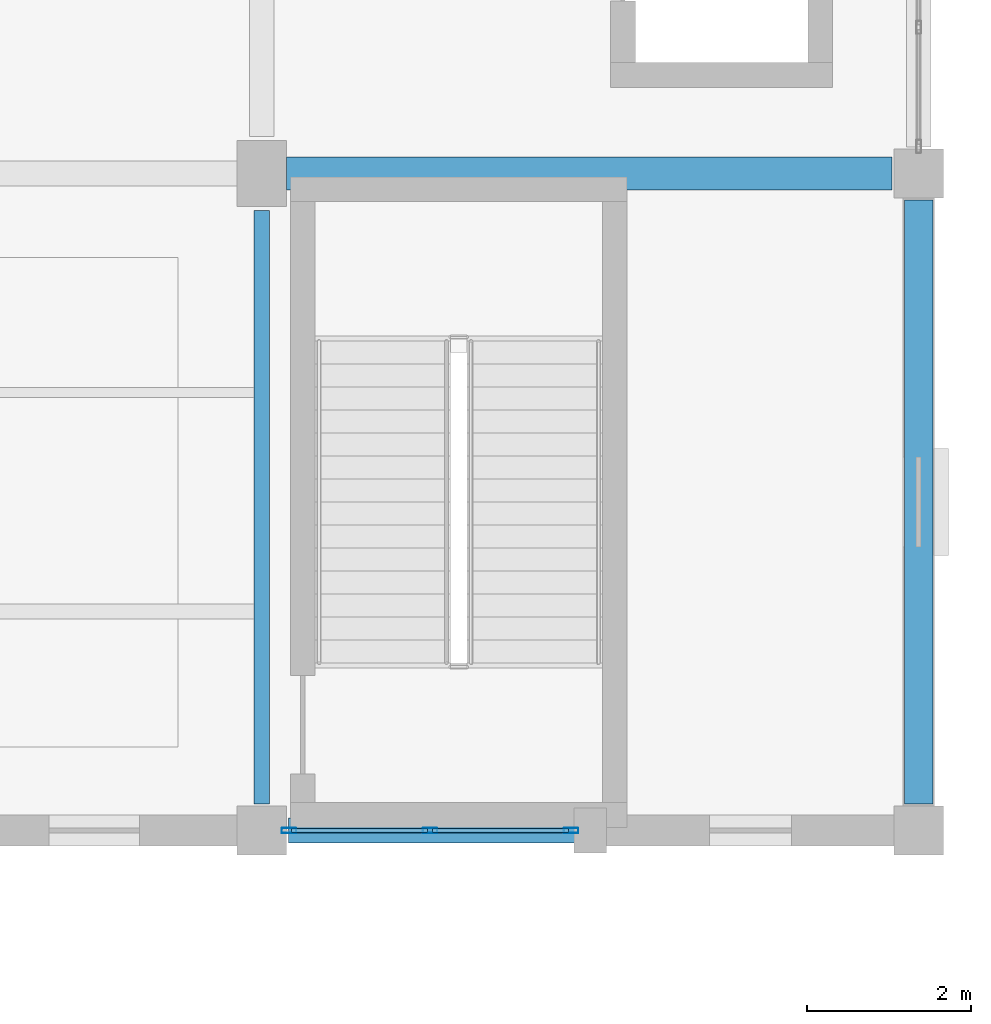
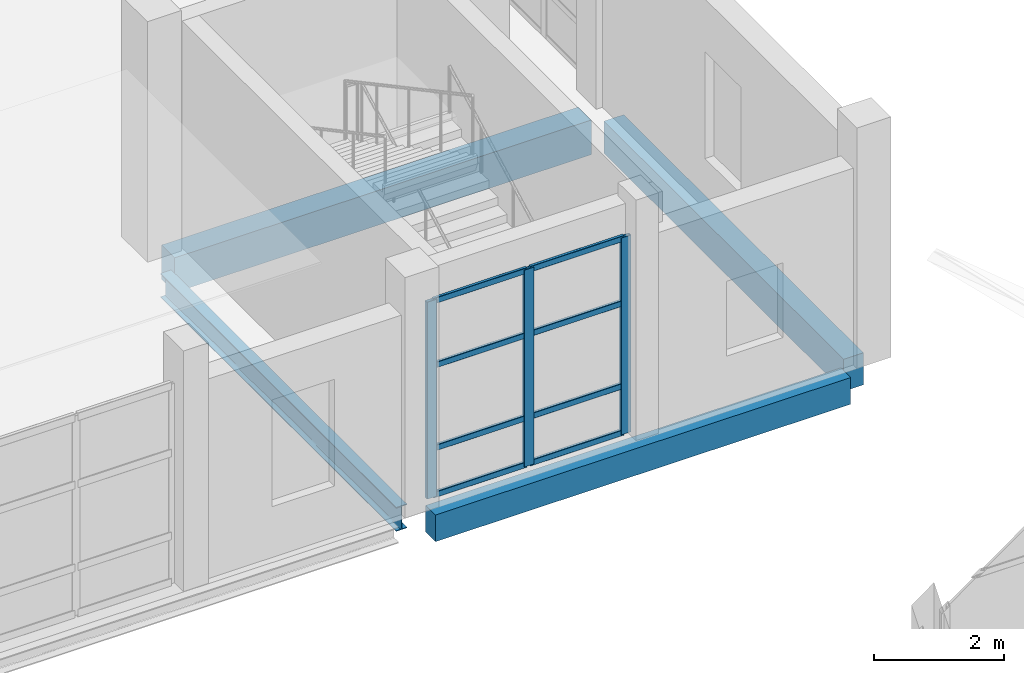
# One storey, part 101 of 183: 11 members, 4 beams, 1 element without a shape of its own.
"""IFC4 building model written with IfcOpenShell, lengths in metres."""

import ifcopenshell
import ifcopenshell.guid

model = None  # the IFC model being written
_history = None  # IfcOwnerHistory: only IFC2X3 demands one
_inside = {}  # id of a spatial element -> (the spatial element, [elements in it])
_under = {}  # id of a project, library or spatial element -> (it, [spatial elements below it])
_declared = {}  # id of a project -> (the project, [libraries it declares])
_typed = {}  # id of a type object -> (the type object, [elements of that type])
_made_of = {}  # id of a material, layer set ... -> (it, [elements and type objects made of it])


def new_model(schema):
    """Start an empty IFC model of exactly this schema.

    Asked for "IFC4X3", IfcOpenShell would pick the latest addendum, in which some entities
    have other attributes; the version numbers below select the first issue.
    IFC2X3 requires an IfcOwnerHistory on every rooted entity: one is made here for all.
    """
    global model, _history
    if schema == "IFC4X3":
        model = ifcopenshell.file(schema_version=(4, 3, 0, 0))
    else:
        model = ifcopenshell.file(schema=schema)
    _inside.clear()
    _under.clear()
    _declared.clear()
    _typed.clear()
    _made_of.clear()
    _history = None
    if model.schema == "IFC2X3":
        org = make("IfcOrganization", Name="unknown")
        user = make(
            "IfcPersonAndOrganization",
            ThePerson=make("IfcPerson", FamilyName="unknown"),
            TheOrganization=org,
        )
        app = make(
            "IfcApplication",
            ApplicationDeveloper=org,
            Version="unknown",
            ApplicationFullName="unknown",
            ApplicationIdentifier="unknown",
        )
        _history = make(
            "IfcOwnerHistory",
            OwningUser=user,
            OwningApplication=app,
            ChangeAction="ADDED",
            CreationDate=0,
        )
    return model


def make(cls, **values):
    """One entity of the class cls with the attributes given. An attribute that is None is left unset."""
    return model.create_entity(
        cls, **{name: value for name, value in values.items() if value is not None}
    )


def rooted(cls, **values):
    """An entity with a GlobalId (a new one), such as an element, a storey or a relation."""
    return make(cls, GlobalId=ifcopenshell.guid.new(), OwnerHistory=_history, **values)


def si_unit(unit_type, name, prefix=None):
    """IfcSIUnit, for example si_unit("LENGTHUNIT", "METRE", prefix="MILLI")."""
    return make("IfcSIUnit", UnitType=unit_type, Prefix=prefix, Name=name)


def assignment(units):
    """IfcUnitAssignment: the units of a project."""
    return None if units is None else make("IfcUnitAssignment", Units=units)


def point(xyz):
    """IfcCartesianPoint."""
    return None if xyz is None else make("IfcCartesianPoint", Coordinates=xyz)


def direction(xyz):
    """IfcDirection."""
    return None if xyz is None else make("IfcDirection", DirectionRatios=xyz)


def frame(location, z_axis=None, x_axis=None):
    """IfcAxis2Placement3D, a coordinate frame: its origin and axes. An axis left out is left unset."""
    return make(
        "IfcAxis2Placement3D",
        Location=point(location),
        Axis=direction(z_axis),
        RefDirection=direction(x_axis),
    )


def frame_2d(location, x_axis=None):
    """IfcAxis2Placement2D, a coordinate frame in the plane: its origin and x axis."""
    return make(
        "IfcAxis2Placement2D", Location=point(location), RefDirection=direction(x_axis)
    )


def origin():
    """The frame at (0, 0, 0) with its axes left unset."""
    return frame((0.0, 0.0, 0.0))


def origin_2d():
    """The frame at (0, 0) in the plane with its x axis left unset."""
    return frame_2d((0.0, 0.0))


def place(relative_to, where):
    """IfcLocalPlacement: puts the frame where relative to a parent placement (None: the world)."""
    return make(
        "IfcLocalPlacement", PlacementRelTo=relative_to, RelativePlacement=where
    )


def context(
    kind, dimensions, precision=None, world=None, true_north=None, identifier=None
):
    """IfcGeometricRepresentationContext, for example the 3D "Model" context."""
    return make(
        "IfcGeometricRepresentationContext",
        ContextIdentifier=identifier,
        ContextType=kind,
        CoordinateSpaceDimension=dimensions,
        Precision=precision,
        WorldCoordinateSystem=world,
        TrueNorth=true_north,
    )


def subcontext(parent, identifier, kind, view, scale=None):
    """IfcGeometricRepresentationSubContext, for example "Body" below "Model"."""
    return make(
        "IfcGeometricRepresentationSubContext",
        ContextIdentifier=identifier,
        ContextType=kind,
        ParentContext=parent,
        TargetScale=scale,
        TargetView=view,
    )


def project(units=None, contexts=None):
    """IfcProject with its units and contexts."""
    return rooted(
        "IfcProject",
        Name="project",
        RepresentationContexts=contexts,
        UnitsInContext=assignment(units),
    )


def spatial(cls, under=None, at=None, **own):
    """A site, building, storey or space (cls), placed at a placement, below another one or the project."""
    s = rooted(cls, ObjectPlacement=at, **own)
    if under is not None:
        _under.setdefault(under.id(), (under, []))[1].append(s)
    return s


def profile(cls, at=None, kind="AREA", **sizes):
    """A parametric profile (cls). Its sizes go by their IFC names, for example OverallWidth=200.0."""
    return make(cls, ProfileType=kind, Position=at, **sizes)


def rectangle(**sizes):
    """IfcRectangleProfileDef."""
    return profile("IfcRectangleProfileDef", **sizes)


def hollow_rectangle(**sizes):
    """IfcRectangleHollowProfileDef."""
    return profile("IfcRectangleHollowProfileDef", **sizes)


def i_section(**sizes):
    """IfcIShapeProfileDef."""
    return profile("IfcIShapeProfileDef", **sizes)


def extrude(swept, where, along, depth):
    """IfcExtrudedAreaSolid: the profile swept, set in the frame where, extruded along a direction by depth."""
    return make(
        "IfcExtrudedAreaSolid",
        SweptArea=swept,
        Position=where,
        ExtrudedDirection=direction(along),
        Depth=depth,
    )


def shape(context_of_items, identifier, shape_type, items):
    """IfcShapeRepresentation: the items that make up one representation, for example the "Body"."""
    return make(
        "IfcShapeRepresentation",
        ContextOfItems=context_of_items,
        RepresentationIdentifier=identifier,
        RepresentationType=shape_type,
        Items=items,
    )


def material(Name=None, Category=None):
    """IfcMaterial."""
    return make("IfcMaterial", Name=Name, Category=Category)


def material_profile(
    of_material, cross_section, Name=None, Category=None, Priority=None
):
    """IfcMaterialProfile: a cross section and its material."""
    return make(
        "IfcMaterialProfile",
        Name=Name,
        Material=of_material,
        Profile=cross_section,
        Priority=Priority,
        Category=Category,
    )


def profile_set(profiles, Name=None, composite=None):
    """IfcMaterialProfileSet."""
    return make(
        "IfcMaterialProfileSet",
        Name=Name,
        MaterialProfiles=profiles,
        CompositeProfile=composite,
    )


def made_of(thing, what):
    """Note that an element or type object is made of a material, layer set ...; save() writes the relation."""
    if what is not None:
        _made_of.setdefault(what.id(), (what, []))[1].append(thing)
    return thing


def type_object(cls, material=None, **own):
    """A type object (cls), such as IfcWallType, which elements share."""
    return made_of(rooted(cls, **own), material)


def element(
    cls,
    number,
    at=None,
    inside=None,
    cuts=None,
    type_object=None,
    material=None,
    context=None,
    identifier="Body",
    shape_type=None,
    held_by="IfcProductDefinitionShape",
    body=None,
    shapes=None,
    **own,
):
    """One element of the class cls, such as IfcWall. Its Tag is "e" and its number.

    at: its placement. inside: the storey or other place that contains it. cuts: it is an
    opening in that element (IfcRelVoidsElement). A single representation is given by context,
    identifier, shape_type and body (its items); several are given by shapes. held_by: the class
    of the entity that holds the representations. save() writes the other relations.
    """
    e = rooted(cls, Tag="e%d" % number, ObjectPlacement=at, **own)
    if body is not None:
        shapes = [shape(context, identifier, shape_type, body)]
    if shapes is not None:
        e.Representation = make(held_by, Representations=shapes)
    if inside is not None:
        _inside.setdefault(inside.id(), (inside, []))[1].append(e)
    if cuts is not None:
        rooted(
            "IfcRelVoidsElement", RelatingBuildingElement=cuts, RelatedOpeningElement=e
        )
    if type_object is not None:
        _typed.setdefault(type_object.id(), (type_object, []))[1].append(e)
    return made_of(e, material)


def aggregate(whole, parts):
    """IfcRelAggregates: a whole, such as a stair, and the parts it consists of."""
    return rooted("IfcRelAggregates", RelatingObject=whole, RelatedObjects=parts)


def save(model, path):
    """Write the relations noted so far, then the file.

    IfcRelAggregates (storeys below a building ...), IfcRelContainedInSpatialStructure (elements
    in a storey), IfcRelDefinesByType, IfcRelAssociatesMaterial and IfcRelDeclares: one each for
    every whole, place, type object, material and project.
    """
    for whole, parts in _under.values():
        aggregate(whole, parts)
    for where, things in _inside.values():
        rooted(
            "IfcRelContainedInSpatialStructure",
            RelatedElements=things,
            RelatingStructure=where,
        )
    for kind, things in _typed.values():
        rooted("IfcRelDefinesByType", RelatedObjects=things, RelatingType=kind)
    for what, things in _made_of.values():
        rooted("IfcRelAssociatesMaterial", RelatedObjects=things, RelatingMaterial=what)
    for by, libraries in _declared.values():
        rooted("IfcRelDeclares", RelatingContext=by, RelatedDefinitions=libraries)
    model.write(path)


model = new_model("IFC4")

# Units and contexts
model_context = context("Model", 3, precision=1e-05, world=origin(), true_north=direction((0.0, 1.0)))
body_context = subcontext(model_context, "Body", "Model", "MODEL_VIEW")
ifc_project = project(units=[si_unit("LENGTHUNIT", "METRE"), si_unit("AREAUNIT", "SQUARE_METRE"), si_unit("VOLUMEUNIT", "CUBIC_METRE"), si_unit("PLANEANGLEUNIT", "RADIAN"), si_unit("MASSUNIT", "GRAM", prefix="KILO")], contexts=[model_context])

# Site, building, storey
site_placement = place(None, origin())
site = spatial("IfcSite", under=ifc_project, at=site_placement, CompositionType="ELEMENT")
building_placement = place(site_placement, origin())
building = spatial("IfcBuilding", under=site, at=building_placement, Name="Luwemba Playhouse", CompositionType="ELEMENT")
storey_placement = place(building_placement, frame((0.0, 0.0, 4.800048828125)))
storey = spatial("IfcBuildingStorey", under=building, at=storey_placement, Name="L01", CompositionType="ELEMENT", Elevation=4.800048828125)

# Beams
ifc_material_1 = material(Name="Concrete C40/50", Category="concrete")
ifc_material_profile_1 = material_profile(ifc_material_1, rectangle(XDim=0.39990234375, YDim=0.64990234375, at=origin_2d()))
ifc_profile_set_1 = profile_set([ifc_material_profile_1], Name="Concrete C40/50")
beam_type_1 = type_object("IfcBeamType", Name="BM-RB02", PredefinedType="BEAM", material=ifc_profile_set_1)
beam_1_placement = place(storey_placement, frame((164.300048828125, 44.0, -0.574951171875), z_axis=(1.0, 0.0, 0.0), x_axis=(0.0, 1.0, 0.0)))
element("IfcBeam", 1, at=beam_1_placement, inside=storey, type_object=beam_type_1, Name="L01 grid girder 0413", PredefinedType="BEAM", context=body_context, shape_type="SweptSolid", body=[
    extrude(rectangle(XDim=0.39990234375, YDim=0.64990234375, at=origin_2d()), origin(), (0.0, 0.0, 1.0), 7.375),
])
ifc_material_2 = material(Name="Steel S355", Category="steel")
ifc_material_profile_2 = material_profile(ifc_material_2, i_section(OverallWidth=0.18994140625, OverallDepth=0.449951171875, WebThickness=0.009521484375, FlangeThickness=0.0146484375, FilletRadius=0.02099609375, at=origin_2d()))
ifc_profile_set_2 = profile_set([ifc_material_profile_2], Name="Steel S355")
beam_type_2 = type_object("IfcBeamType", Name="BM-SB06", PredefinedType="BEAM", material=ifc_profile_set_2)
beam_2_placement = place(storey_placement, frame((164.0, 36.324951171875, -0.47509765625), z_axis=(0.0, 1.0, 0.0), x_axis=(-1.0, 0.0, 0.0)))
element("IfcBeam", 2, at=beam_2_placement, inside=storey, type_object=beam_type_2, Name="L01 transverse girder 0430", PredefinedType="BEAM", context=body_context, shape_type="SweptSolid", body=[
    extrude(i_section(OverallWidth=0.18994140625, OverallDepth=0.449951171875, WebThickness=0.009521484375, FlangeThickness=0.0146484375, FilletRadius=0.02099609375, at=origin_2d()), origin(), (0.0, 0.0, 1.0), 7.22509765625),
])
ifc_material_profile_3 = material_profile(ifc_material_1, rectangle(XDim=0.300048828125, YDim=0.5, at=origin_2d()))
ifc_profile_set_3 = profile_set([ifc_material_profile_3], Name="Concrete C40/50")
beam_type_3 = type_object("IfcBeamType", Name="BM-SP1", PredefinedType="SPANDREL", material=ifc_profile_set_3)
beam_3_placement = place(storey_placement, frame((164.324951171875, 36.0, -0.5), z_axis=(1.0, 0.0, 0.0), x_axis=(0.0, 1.0, 0.0)))
element("IfcBeam", 3, at=beam_3_placement, inside=storey, type_object=beam_type_3, Name="L01 grid girder 0408", PredefinedType="SPANDREL", context=body_context, shape_type="SweptSolid", body=[
    extrude(rectangle(XDim=0.300048828125, YDim=0.5, at=origin_2d()), origin(), (0.0, 0.0, 1.0), 7.35009765625),
])
ifc_material_profile_4 = material_profile(ifc_material_1, rectangle(XDim=0.35009765625, YDim=0.60009765625, at=origin_2d()))
ifc_profile_set_4 = profile_set([ifc_material_profile_4], Name="Concrete C40/50")
beam_type_4 = type_object("IfcBeamType", Name="BM-SP3", PredefinedType="SPANDREL", material=ifc_profile_set_4)
beam_4_placement = place(storey_placement, frame((172.0, 36.324951171875, -0.550048828125), z_axis=(0.0, 1.0, 0.0), x_axis=(-1.0, 0.0, 0.0)))
element("IfcBeam", 4, at=beam_4_placement, inside=storey, type_object=beam_type_4, Name="L01 transverse girder 0433", PredefinedType="SPANDREL", context=body_context, shape_type="SweptSolid", body=[
    extrude(rectangle(XDim=0.35009765625, YDim=0.60009765625, at=origin_2d()), origin(), (0.0, 0.0, 1.0), 7.35009765625),
])

# Curtain wall, members
ifc_material_3 = material(Name="Solar-control double glazing", Category="glass")
curtain_wall_type = type_object("IfcCurtainWallType", Name="CW-CW81", PredefinedType="USERDEFINED", material=ifc_material_3)
curtain_wall_placement = place(storey_placement, origin())
curtain_wall = element("IfcCurtainWall", 5, at=curtain_wall_placement, inside=storey, type_object=curtain_wall_type, Name="L01 V3 unitised curtain wall 107", ObjectType="UNITISED GLAZING", PredefinedType="USERDEFINED")
ifc_material_4 = material(Name="Aluminium 6063-T6", Category="aluminium")
ifc_material_profile_5 = material_profile(ifc_material_4, hollow_rectangle(XDim=0.06494140625, YDim=0.179931640625, WallThickness=0.00439453125, InnerFilletRadius=0.0068359375, OuterFilletRadius=0.01123046875, at=origin_2d()))
ifc_profile_set_5 = profile_set([ifc_material_profile_5], Name="Aluminium 6063-T6")
member_type_1 = type_object("IfcMemberType", Name="CWM-M2", PredefinedType="MULLION", material=ifc_profile_set_5)
member_1_placement = place(storey_placement, frame((167.767578125, 36.0, 0.0), z_axis=(0.0, 0.0, 1.0), x_axis=(0.0, -1.0, 0.0)))
member_1 = element("IfcMember", 6, at=member_1_placement, type_object=member_type_1, Name="CW81 mullion 1", PredefinedType="MULLION", context=body_context, shape_type="SweptSolid", body=[
    extrude(hollow_rectangle(XDim=0.06494140625, YDim=0.179931640625, WallThickness=0.00439453125, InnerFilletRadius=0.0068359375, OuterFilletRadius=0.01123046875, at=origin_2d()), origin(), (0.0, 0.0, 1.0), 3.68505859375),
])
member_2_placement = place(storey_placement, frame((166.050048828125, 36.0, 0.0), z_axis=(0.0, 0.0, 1.0), x_axis=(0.0, -1.0, 0.0)))
member_2 = element("IfcMember", 7, at=member_2_placement, type_object=member_type_1, Name="CW81 mullion 2", PredefinedType="MULLION", context=body_context, shape_type="SweptSolid", body=[
    extrude(hollow_rectangle(XDim=0.06494140625, YDim=0.179931640625, WallThickness=0.00439453125, InnerFilletRadius=0.0068359375, OuterFilletRadius=0.01123046875, at=origin_2d()), origin(), (0.0, 0.0, 1.0), 3.68505859375),
])
member_3_placement = place(storey_placement, frame((164.33251953125, 36.0, 0.0), z_axis=(0.0, 0.0, 1.0), x_axis=(0.0, -1.0, 0.0)))
member_3 = element("IfcMember", 8, at=member_3_placement, type_object=member_type_1, Name="CW81 mullion 3", PredefinedType="MULLION", context=body_context, shape_type="SweptSolid", body=[
    extrude(hollow_rectangle(XDim=0.06494140625, YDim=0.179931640625, WallThickness=0.00439453125, InnerFilletRadius=0.0068359375, OuterFilletRadius=0.01123046875, at=origin_2d()), origin(), (0.0, 0.0, 1.0), 3.68505859375),
])
ifc_material_profile_6 = material_profile(ifc_material_4, hollow_rectangle(XDim=0.054931640625, YDim=0.110107421875, WallThickness=0.00341796875, InnerFilletRadius=0.00537109375, OuterFilletRadius=0.0087890625, at=origin_2d()))
ifc_profile_set_6 = profile_set([ifc_material_profile_6], Name="Aluminium 6063-T6")
member_type_2 = type_object("IfcMemberType", Name="CWT-T2", PredefinedType="USERDEFINED", material=ifc_profile_set_6)
member_4_placement = place(storey_placement, frame((167.735107421875, 36.0, 0.02734375), z_axis=(-1.0, 0.0, 0.0), x_axis=(0.0, -1.0, 0.0)))
member_4 = element("IfcMember", 9, at=member_4_placement, type_object=member_type_2, Name="CW81 transom 1.1", ObjectType="TRANSOM", PredefinedType="USERDEFINED", context=body_context, shape_type="SweptSolid", body=[
    extrude(hollow_rectangle(XDim=0.054931640625, YDim=0.110107421875, WallThickness=0.00341796875, InnerFilletRadius=0.00537109375, OuterFilletRadius=0.0087890625, at=origin_2d()), origin(), (0.0, 0.0, 1.0), 1.652587890625),
])
member_5_placement = place(storey_placement, frame((167.735107421875, 36.0, 0.89990234375), z_axis=(-1.0, 0.0, 0.0), x_axis=(0.0, -1.0, 0.0)))
member_5 = element("IfcMember", 10, at=member_5_placement, type_object=member_type_2, Name="CW81 transom 1.2", ObjectType="TRANSOM", PredefinedType="USERDEFINED", context=body_context, shape_type="SweptSolid", body=[
    extrude(hollow_rectangle(XDim=0.054931640625, YDim=0.110107421875, WallThickness=0.00341796875, InnerFilletRadius=0.00537109375, OuterFilletRadius=0.0087890625, at=origin_2d()), origin(), (0.0, 0.0, 1.0), 1.652587890625),
])
member_6_placement = place(storey_placement, frame((167.735107421875, 36.0, 2.449951171875), z_axis=(-1.0, 0.0, 0.0), x_axis=(0.0, -1.0, 0.0)))
member_6 = element("IfcMember", 11, at=member_6_placement, type_object=member_type_2, Name="CW81 transom 1.3", ObjectType="TRANSOM", PredefinedType="USERDEFINED", context=body_context, shape_type="SweptSolid", body=[
    extrude(hollow_rectangle(XDim=0.054931640625, YDim=0.110107421875, WallThickness=0.00341796875, InnerFilletRadius=0.00537109375, OuterFilletRadius=0.0087890625, at=origin_2d()), origin(), (0.0, 0.0, 1.0), 1.652587890625),
])
member_7_placement = place(storey_placement, frame((167.735107421875, 36.0, 3.657470703125), z_axis=(-1.0, 0.0, 0.0), x_axis=(0.0, -1.0, 0.0)))
member_7 = element("IfcMember", 12, at=member_7_placement, type_object=member_type_2, Name="CW81 transom 1.4", ObjectType="TRANSOM", PredefinedType="USERDEFINED", context=body_context, shape_type="SweptSolid", body=[
    extrude(hollow_rectangle(XDim=0.054931640625, YDim=0.110107421875, WallThickness=0.00341796875, InnerFilletRadius=0.00537109375, OuterFilletRadius=0.0087890625, at=origin_2d()), origin(), (0.0, 0.0, 1.0), 1.652587890625),
])
member_8_placement = place(storey_placement, frame((166.017578125, 36.0, 0.02734375), z_axis=(-1.0, 0.0, 0.0), x_axis=(0.0, -1.0, 0.0)))
member_8 = element("IfcMember", 13, at=member_8_placement, type_object=member_type_2, Name="CW81 transom 2.1", ObjectType="TRANSOM", PredefinedType="USERDEFINED", context=body_context, shape_type="SweptSolid", body=[
    extrude(hollow_rectangle(XDim=0.054931640625, YDim=0.110107421875, WallThickness=0.00341796875, InnerFilletRadius=0.00537109375, OuterFilletRadius=0.0087890625, at=origin_2d()), origin(), (0.0, 0.0, 1.0), 1.652587890625),
])
member_9_placement = place(storey_placement, frame((166.017578125, 36.0, 0.89990234375), z_axis=(-1.0, 0.0, 0.0), x_axis=(0.0, -1.0, 0.0)))
member_9 = element("IfcMember", 14, at=member_9_placement, type_object=member_type_2, Name="CW81 transom 2.2", ObjectType="TRANSOM", PredefinedType="USERDEFINED", context=body_context, shape_type="SweptSolid", body=[
    extrude(hollow_rectangle(XDim=0.054931640625, YDim=0.110107421875, WallThickness=0.00341796875, InnerFilletRadius=0.00537109375, OuterFilletRadius=0.0087890625, at=origin_2d()), origin(), (0.0, 0.0, 1.0), 1.652587890625),
])
member_10_placement = place(storey_placement, frame((166.017578125, 36.0, 2.449951171875), z_axis=(-1.0, 0.0, 0.0), x_axis=(0.0, -1.0, 0.0)))
member_10 = element("IfcMember", 15, at=member_10_placement, type_object=member_type_2, Name="CW81 transom 2.3", ObjectType="TRANSOM", PredefinedType="USERDEFINED", context=body_context, shape_type="SweptSolid", body=[
    extrude(hollow_rectangle(XDim=0.054931640625, YDim=0.110107421875, WallThickness=0.00341796875, InnerFilletRadius=0.00537109375, OuterFilletRadius=0.0087890625, at=origin_2d()), origin(), (0.0, 0.0, 1.0), 1.652587890625),
])
member_11_placement = place(storey_placement, frame((166.017578125, 36.0, 3.657470703125), z_axis=(-1.0, 0.0, 0.0), x_axis=(0.0, -1.0, 0.0)))
member_11 = element("IfcMember", 16, at=member_11_placement, type_object=member_type_2, Name="CW81 transom 2.4", ObjectType="TRANSOM", PredefinedType="USERDEFINED", context=body_context, shape_type="SweptSolid", body=[
    extrude(hollow_rectangle(XDim=0.054931640625, YDim=0.110107421875, WallThickness=0.00341796875, InnerFilletRadius=0.00537109375, OuterFilletRadius=0.0087890625, at=origin_2d()), origin(), (0.0, 0.0, 1.0), 1.652587890625),
])
aggregate(curtain_wall, [member_1, member_2, member_3, member_4, member_5, member_6, member_7, member_8, member_9, member_10, member_11])

save(model, "model.ifc")
